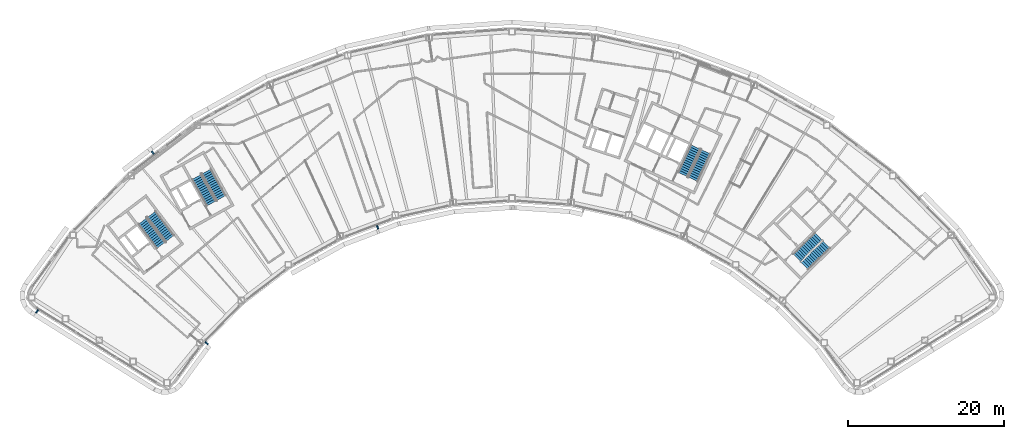
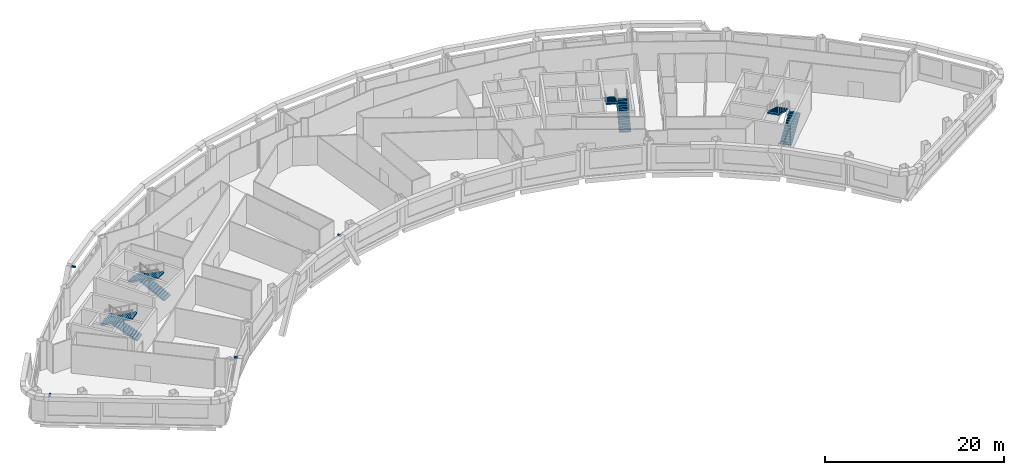
# One storey, part 12 of 16: 8 stair flights, 4 discrete accessories, 4 elements without a shape of their own.
"""IFC4 building model written with IfcOpenShell, lengths in metres."""

import ifcopenshell
import ifcopenshell.guid

model = None  # the IFC model being written
_history = None  # IfcOwnerHistory: only IFC2X3 demands one
_inside = {}  # id of a spatial element -> (the spatial element, [elements in it])
_under = {}  # id of a project, library or spatial element -> (it, [spatial elements below it])
_declared = {}  # id of a project -> (the project, [libraries it declares])
_typed = {}  # id of a type object -> (the type object, [elements of that type])
_made_of = {}  # id of a material, layer set ... -> (it, [elements and type objects made of it])


def new_model(schema):
    """Start an empty IFC model of exactly this schema.

    Asked for "IFC4X3", IfcOpenShell would pick the latest addendum, in which some entities
    have other attributes; the version numbers below select the first issue.
    IFC2X3 requires an IfcOwnerHistory on every rooted entity: one is made here for all.
    """
    global model, _history
    if schema == "IFC4X3":
        model = ifcopenshell.file(schema_version=(4, 3, 0, 0))
    else:
        model = ifcopenshell.file(schema=schema)
    _inside.clear()
    _under.clear()
    _declared.clear()
    _typed.clear()
    _made_of.clear()
    _history = None
    if model.schema == "IFC2X3":
        org = make("IfcOrganization", Name="unknown")
        user = make(
            "IfcPersonAndOrganization",
            ThePerson=make("IfcPerson", FamilyName="unknown"),
            TheOrganization=org,
        )
        app = make(
            "IfcApplication",
            ApplicationDeveloper=org,
            Version="unknown",
            ApplicationFullName="unknown",
            ApplicationIdentifier="unknown",
        )
        _history = make(
            "IfcOwnerHistory",
            OwningUser=user,
            OwningApplication=app,
            ChangeAction="ADDED",
            CreationDate=0,
        )
    return model


def make(cls, **values):
    """One entity of the class cls with the attributes given. An attribute that is None is left unset."""
    return model.create_entity(
        cls, **{name: value for name, value in values.items() if value is not None}
    )


def rooted(cls, **values):
    """An entity with a GlobalId (a new one), such as an element, a storey or a relation."""
    return make(cls, GlobalId=ifcopenshell.guid.new(), OwnerHistory=_history, **values)


def si_unit(unit_type, name, prefix=None):
    """IfcSIUnit, for example si_unit("LENGTHUNIT", "METRE", prefix="MILLI")."""
    return make("IfcSIUnit", UnitType=unit_type, Prefix=prefix, Name=name)


def assignment(units):
    """IfcUnitAssignment: the units of a project."""
    return None if units is None else make("IfcUnitAssignment", Units=units)


def point(xyz):
    """IfcCartesianPoint."""
    return None if xyz is None else make("IfcCartesianPoint", Coordinates=xyz)


def direction(xyz):
    """IfcDirection."""
    return None if xyz is None else make("IfcDirection", DirectionRatios=xyz)


def frame(location, z_axis=None, x_axis=None):
    """IfcAxis2Placement3D, a coordinate frame: its origin and axes. An axis left out is left unset."""
    return make(
        "IfcAxis2Placement3D",
        Location=point(location),
        Axis=direction(z_axis),
        RefDirection=direction(x_axis),
    )


def frame_2d(location, x_axis=None):
    """IfcAxis2Placement2D, a coordinate frame in the plane: its origin and x axis."""
    return make(
        "IfcAxis2Placement2D", Location=point(location), RefDirection=direction(x_axis)
    )


def origin():
    """The frame at (0, 0, 0) with its axes left unset."""
    return frame((0.0, 0.0, 0.0))


def origin_2d():
    """The frame at (0, 0) in the plane with its x axis left unset."""
    return frame_2d((0.0, 0.0))


def place(relative_to, where):
    """IfcLocalPlacement: puts the frame where relative to a parent placement (None: the world)."""
    return make(
        "IfcLocalPlacement", PlacementRelTo=relative_to, RelativePlacement=where
    )


def context(
    kind, dimensions, precision=None, world=None, true_north=None, identifier=None
):
    """IfcGeometricRepresentationContext, for example the 3D "Model" context."""
    return make(
        "IfcGeometricRepresentationContext",
        ContextIdentifier=identifier,
        ContextType=kind,
        CoordinateSpaceDimension=dimensions,
        Precision=precision,
        WorldCoordinateSystem=world,
        TrueNorth=true_north,
    )


def subcontext(parent, identifier, kind, view, scale=None):
    """IfcGeometricRepresentationSubContext, for example "Body" below "Model"."""
    return make(
        "IfcGeometricRepresentationSubContext",
        ContextIdentifier=identifier,
        ContextType=kind,
        ParentContext=parent,
        TargetScale=scale,
        TargetView=view,
    )


def project(units=None, contexts=None):
    """IfcProject with its units and contexts."""
    return rooted(
        "IfcProject",
        Name="project",
        RepresentationContexts=contexts,
        UnitsInContext=assignment(units),
    )


def spatial(cls, under=None, at=None, **own):
    """A site, building, storey or space (cls), placed at a placement, below another one or the project."""
    s = rooted(cls, ObjectPlacement=at, **own)
    if under is not None:
        _under.setdefault(under.id(), (under, []))[1].append(s)
    return s


def polyline(points):
    """IfcPolyline through the points."""
    return make("IfcPolyline", Points=[point(p) for p in points])


def profile(cls, at=None, kind="AREA", **sizes):
    """A parametric profile (cls). Its sizes go by their IFC names, for example OverallWidth=200.0."""
    return make(cls, ProfileType=kind, Position=at, **sizes)


def rectangle(**sizes):
    """IfcRectangleProfileDef."""
    return profile("IfcRectangleProfileDef", **sizes)


def outline(outer, holes=None, kind="AREA"):
    """IfcArbitraryClosedProfileDef: a profile drawn as a closed curve; with holes, ...WithVoids."""
    if holes is None:
        return make("IfcArbitraryClosedProfileDef", ProfileType=kind, OuterCurve=outer)
    return make(
        "IfcArbitraryProfileDefWithVoids",
        ProfileType=kind,
        OuterCurve=outer,
        InnerCurves=holes,
    )


def extrude(swept, where, along, depth):
    """IfcExtrudedAreaSolid: the profile swept, set in the frame where, extruded along a direction by depth."""
    return make(
        "IfcExtrudedAreaSolid",
        SweptArea=swept,
        Position=where,
        ExtrudedDirection=direction(along),
        Depth=depth,
    )


def shape(context_of_items, identifier, shape_type, items):
    """IfcShapeRepresentation: the items that make up one representation, for example the "Body"."""
    return make(
        "IfcShapeRepresentation",
        ContextOfItems=context_of_items,
        RepresentationIdentifier=identifier,
        RepresentationType=shape_type,
        Items=items,
    )


def material(Name=None, Category=None):
    """IfcMaterial."""
    return make("IfcMaterial", Name=Name, Category=Category)


def made_of(thing, what):
    """Note that an element or type object is made of a material, layer set ...; save() writes the relation."""
    if what is not None:
        _made_of.setdefault(what.id(), (what, []))[1].append(thing)
    return thing


def type_object(cls, material=None, **own):
    """A type object (cls), such as IfcWallType, which elements share."""
    return made_of(rooted(cls, **own), material)


def element(
    cls,
    number,
    at=None,
    inside=None,
    cuts=None,
    type_object=None,
    material=None,
    context=None,
    identifier="Body",
    shape_type=None,
    held_by="IfcProductDefinitionShape",
    body=None,
    shapes=None,
    **own,
):
    """One element of the class cls, such as IfcWall. Its Tag is "e" and its number.

    at: its placement. inside: the storey or other place that contains it. cuts: it is an
    opening in that element (IfcRelVoidsElement). A single representation is given by context,
    identifier, shape_type and body (its items); several are given by shapes. held_by: the class
    of the entity that holds the representations. save() writes the other relations.
    """
    e = rooted(cls, Tag="e%d" % number, ObjectPlacement=at, **own)
    if body is not None:
        shapes = [shape(context, identifier, shape_type, body)]
    if shapes is not None:
        e.Representation = make(held_by, Representations=shapes)
    if inside is not None:
        _inside.setdefault(inside.id(), (inside, []))[1].append(e)
    if cuts is not None:
        rooted(
            "IfcRelVoidsElement", RelatingBuildingElement=cuts, RelatedOpeningElement=e
        )
    if type_object is not None:
        _typed.setdefault(type_object.id(), (type_object, []))[1].append(e)
    return made_of(e, material)


def aggregate(whole, parts):
    """IfcRelAggregates: a whole, such as a stair, and the parts it consists of."""
    return rooted("IfcRelAggregates", RelatingObject=whole, RelatedObjects=parts)


def save(model, path):
    """Write the relations noted so far, then the file.

    IfcRelAggregates (storeys below a building ...), IfcRelContainedInSpatialStructure (elements
    in a storey), IfcRelDefinesByType, IfcRelAssociatesMaterial and IfcRelDeclares: one each for
    every whole, place, type object, material and project.
    """
    for whole, parts in _under.values():
        aggregate(whole, parts)
    for where, things in _inside.values():
        rooted(
            "IfcRelContainedInSpatialStructure",
            RelatedElements=things,
            RelatingStructure=where,
        )
    for kind, things in _typed.values():
        rooted("IfcRelDefinesByType", RelatedObjects=things, RelatingType=kind)
    for what, things in _made_of.values():
        rooted("IfcRelAssociatesMaterial", RelatedObjects=things, RelatingMaterial=what)
    for by, libraries in _declared.values():
        rooted("IfcRelDeclares", RelatingContext=by, RelatedDefinitions=libraries)
    model.write(path)


model = new_model("IFC4")

# Units and contexts
model_context = context("Model", 3, precision=1e-05, world=origin(), true_north=direction((0.0, 1.0)))
body_context = subcontext(model_context, "Body", "Model", "MODEL_VIEW")
ifc_project = project(units=[si_unit("LENGTHUNIT", "METRE"), si_unit("AREAUNIT", "SQUARE_METRE"), si_unit("VOLUMEUNIT", "CUBIC_METRE"), si_unit("PLANEANGLEUNIT", "RADIAN"), si_unit("MASSUNIT", "GRAM", prefix="KILO")], contexts=[model_context])

# Site, building, storey
site_placement = place(None, origin())
site = spatial("IfcSite", under=ifc_project, at=site_placement, CompositionType="ELEMENT")
building_placement = place(site_placement, origin())
building = spatial("IfcBuilding", under=site, at=building_placement, Name="Tuul Gate Civic Tower", CompositionType="ELEMENT")
storey_placement = place(building_placement, frame((0.0, 0.0, 261.0)))
storey = spatial("IfcBuildingStorey", under=building, at=storey_placement, Name="Level 59", CompositionType="ELEMENT", Elevation=261.0)

# Stair, stair flights
ifc_material_1 = material(Name="Concrete C40/50", Category="concrete")
stair_type = type_object("IfcStairType", Name="Exit stair", PredefinedType="HALF_TURN_STAIR", material=ifc_material_1)
stair_1_placement = place(storey_placement, origin())
stair_1 = element("IfcStair", 1, at=stair_1_placement, inside=storey, type_object=stair_type, Name="Level 59 ST-1", PredefinedType="HALF_TURN_STAIR")
ifc_material_2 = material(Name="Concrete C40/50", Category="concrete")
stair_flight_type = type_object("IfcStairFlightType", Name="Exit stair flight", PredefinedType="STRAIGHT", material=ifc_material_2)
stair_flight_1_placement = place(storey_placement, frame((-32.875244140625, -13.066650390625, 0.0), z_axis=(0.0, 0.0, 1.0), x_axis=(-0.605764474941, 0.795644016442, 0.0)))
stair_flight_1 = element("IfcStairFlight", 2, at=stair_flight_1_placement, type_object=stair_flight_type, Name="ST-1 flight 1", NumberOfRisers=14, NumberOfTreads=13, PredefinedType="STRAIGHT", RiserHeight=0.15, TreadLength=0.3, context=body_context, shape_type="SweptSolid", body=[
    extrude(outline(polyline([(0.0, 0.0), (0.0, 0.14990234375), (0.300048828125, 0.14990234375), (0.300048828125, 0.300048828125), (0.60009765625, 0.300048828125), (0.60009765625, 0.449951171875), (0.89990234375, 0.449951171875), (0.89990234375, 0.60009765625), (1.199951171875, 0.60009765625), (1.199951171875, 0.75), (1.5, 0.75), (1.5, 0.89990234375), (1.800048828125, 0.89990234375), (1.800048828125, 1.050048828125), (2.10009765625, 1.050048828125), (2.10009765625, 1.199951171875), (2.39990234375, 1.199951171875), (2.39990234375, 1.35009765625), (2.699951171875, 1.35009765625), (2.699951171875, 1.5), (3.0, 1.5), (3.0, 1.64990234375), (3.300048828125, 1.64990234375), (3.300048828125, 1.800048828125), (3.60009765625, 1.800048828125), (3.60009765625, 1.949951171875), (3.89990234375, 1.949951171875), (3.89990234375, 2.10009765625), (3.89990234375, 1.782470703125), (0.335205078125, 0.0), (0.0, 0.0)])), frame((0.0, 0.675048828125, 0.0), z_axis=(0.0, -1.0, 0.0), x_axis=(1.0, 0.0, 0.0)), (0.0, 0.0, 1.0), 1.35009765625),
])
stair_flight_2_placement = place(storey_placement, frame((-36.391357421875, -10.842041015625, 2.10009765625), z_axis=(0.0, 0.0, 1.0), x_axis=(0.605764474941, -0.795644016442, 0.0)))
stair_flight_2 = element("IfcStairFlight", 3, at=stair_flight_2_placement, type_object=stair_flight_type, Name="ST-1 flight 2", NumberOfRisers=14, NumberOfTreads=13, PredefinedType="STRAIGHT", RiserHeight=0.15, TreadLength=0.3, context=body_context, shape_type="SweptSolid", body=[
    extrude(outline(polyline([(0.0, 0.0), (0.0, 0.14990234375), (0.300048828125, 0.14990234375), (0.300048828125, 0.300048828125), (0.60009765625, 0.300048828125), (0.60009765625, 0.449951171875), (0.89990234375, 0.449951171875), (0.89990234375, 0.60009765625), (1.199951171875, 0.60009765625), (1.199951171875, 0.75), (1.5, 0.75), (1.5, 0.89990234375), (1.800048828125, 0.89990234375), (1.800048828125, 1.050048828125), (2.10009765625, 1.050048828125), (2.10009765625, 1.199951171875), (2.39990234375, 1.199951171875), (2.39990234375, 1.35009765625), (2.699951171875, 1.35009765625), (2.699951171875, 1.5), (3.0, 1.5), (3.0, 1.64990234375), (3.300048828125, 1.64990234375), (3.300048828125, 1.800048828125), (3.60009765625, 1.800048828125), (3.60009765625, 1.949951171875), (3.89990234375, 1.949951171875), (3.89990234375, 2.10009765625), (3.89990234375, 1.782470703125), (0.335205078125, 0.0), (0.0, 0.0)])), frame((0.0, 0.675048828125, 0.0), z_axis=(0.0, -1.0, 0.0), x_axis=(1.0, 0.0, 0.0)), (0.0, 0.0, 1.0), 1.35009765625),
])
aggregate(stair_1, [stair_flight_1, stair_flight_2])

stair_2_placement = place(storey_placement, origin())
stair_2 = element("IfcStair", 4, at=stair_2_placement, inside=storey, type_object=stair_type, Name="Level 59 ST-2", PredefinedType="HALF_TURN_STAIR")
stair_flight_3_placement = place(storey_placement, frame((-26.29150390625, -7.87646484375, 0.0), z_axis=(0.0, 0.0, 1.0), x_axis=(-0.484761763766, 0.874646232708, 0.0)))
stair_flight_3 = element("IfcStairFlight", 5, at=stair_flight_3_placement, type_object=stair_flight_type, Name="ST-2 flight 1", NumberOfRisers=14, NumberOfTreads=13, PredefinedType="STRAIGHT", RiserHeight=0.15, TreadLength=0.3, context=body_context, shape_type="SweptSolid", body=[
    extrude(outline(polyline([(0.0, 0.0), (0.0, 0.14990234375), (0.300048828125, 0.14990234375), (0.300048828125, 0.300048828125), (0.60009765625, 0.300048828125), (0.60009765625, 0.449951171875), (0.89990234375, 0.449951171875), (0.89990234375, 0.60009765625), (1.199951171875, 0.60009765625), (1.199951171875, 0.75), (1.5, 0.75), (1.5, 0.89990234375), (1.800048828125, 0.89990234375), (1.800048828125, 1.050048828125), (2.10009765625, 1.050048828125), (2.10009765625, 1.199951171875), (2.39990234375, 1.199951171875), (2.39990234375, 1.35009765625), (2.699951171875, 1.35009765625), (2.699951171875, 1.5), (3.0, 1.5), (3.0, 1.64990234375), (3.300048828125, 1.64990234375), (3.300048828125, 1.800048828125), (3.60009765625, 1.800048828125), (3.60009765625, 1.949951171875), (3.89990234375, 1.949951171875), (3.89990234375, 2.10009765625), (3.89990234375, 1.782470703125), (0.335205078125, 0.0), (0.0, 0.0)])), frame((0.0, 0.675048828125, 0.0), z_axis=(0.0, -1.0, 0.0), x_axis=(1.0, 0.0, 0.0)), (0.0, 0.0, 1.0), 1.35009765625),
])
stair_flight_4_placement = place(storey_placement, frame((-29.450439453125, -5.168212890625, 2.10009765625), z_axis=(0.0, 0.0, 1.0), x_axis=(0.484761763766, -0.874646232708, 0.0)))
stair_flight_4 = element("IfcStairFlight", 6, at=stair_flight_4_placement, type_object=stair_flight_type, Name="ST-2 flight 2", NumberOfRisers=14, NumberOfTreads=13, PredefinedType="STRAIGHT", RiserHeight=0.15, TreadLength=0.3, context=body_context, shape_type="SweptSolid", body=[
    extrude(outline(polyline([(0.0, 0.0), (0.0, 0.14990234375), (0.300048828125, 0.14990234375), (0.300048828125, 0.300048828125), (0.60009765625, 0.300048828125), (0.60009765625, 0.449951171875), (0.89990234375, 0.449951171875), (0.89990234375, 0.60009765625), (1.199951171875, 0.60009765625), (1.199951171875, 0.75), (1.5, 0.75), (1.5, 0.89990234375), (1.800048828125, 0.89990234375), (1.800048828125, 1.050048828125), (2.10009765625, 1.050048828125), (2.10009765625, 1.199951171875), (2.39990234375, 1.199951171875), (2.39990234375, 1.35009765625), (2.699951171875, 1.35009765625), (2.699951171875, 1.5), (3.0, 1.5), (3.0, 1.64990234375), (3.300048828125, 1.64990234375), (3.300048828125, 1.800048828125), (3.60009765625, 1.800048828125), (3.60009765625, 1.949951171875), (3.89990234375, 1.949951171875), (3.89990234375, 2.10009765625), (3.89990234375, 1.782470703125), (0.335205078125, 0.0), (0.0, 0.0)])), frame((0.0, 0.675048828125, 0.0), z_axis=(0.0, -1.0, 0.0), x_axis=(1.0, 0.0, 0.0)), (0.0, 0.0, 1.0), 1.35009765625),
])
aggregate(stair_2, [stair_flight_3, stair_flight_4])

stair_3_placement = place(storey_placement, origin())
stair_3 = element("IfcStair", 7, at=stair_3_placement, inside=storey, type_object=stair_type, Name="Level 59 ST-3", PredefinedType="HALF_TURN_STAIR")
stair_flight_5_placement = place(storey_placement, frame((48.61376953125, -16.581787109375, 0.0), z_axis=(0.0, 0.0, 1.0), x_axis=(0.714127290059, 0.700015866672, 0.0)))
stair_flight_5 = element("IfcStairFlight", 8, at=stair_flight_5_placement, type_object=stair_flight_type, Name="ST-3 flight 1", NumberOfRisers=14, NumberOfTreads=13, PredefinedType="STRAIGHT", RiserHeight=0.15, TreadLength=0.3, context=body_context, shape_type="SweptSolid", body=[
    extrude(outline(polyline([(0.0, 0.0), (0.0, 0.14990234375), (0.300048828125, 0.14990234375), (0.300048828125, 0.300048828125), (0.60009765625, 0.300048828125), (0.60009765625, 0.449951171875), (0.89990234375, 0.449951171875), (0.89990234375, 0.60009765625), (1.199951171875, 0.60009765625), (1.199951171875, 0.75), (1.5, 0.75), (1.5, 0.89990234375), (1.800048828125, 0.89990234375), (1.800048828125, 1.050048828125), (2.10009765625, 1.050048828125), (2.10009765625, 1.199951171875), (2.39990234375, 1.199951171875), (2.39990234375, 1.35009765625), (2.699951171875, 1.35009765625), (2.699951171875, 1.5), (3.0, 1.5), (3.0, 1.64990234375), (3.300048828125, 1.64990234375), (3.300048828125, 1.800048828125), (3.60009765625, 1.800048828125), (3.60009765625, 1.949951171875), (3.89990234375, 1.949951171875), (3.89990234375, 2.10009765625), (3.89990234375, 1.782470703125), (0.335205078125, 0.0), (0.0, 0.0)])), frame((0.0, 0.675048828125, 0.0), z_axis=(0.0, -1.0, 0.0), x_axis=(1.0, 0.0, 0.0)), (0.0, 0.0, 1.0), 1.35009765625),
])
stair_flight_6_placement = place(storey_placement, frame((50.3837890625, -12.816162109375, 2.10009765625), z_axis=(0.0, 0.0, 1.0), x_axis=(-0.714127290059, -0.700015866672, 0.0)))
stair_flight_6 = element("IfcStairFlight", 9, at=stair_flight_6_placement, type_object=stair_flight_type, Name="ST-3 flight 2", NumberOfRisers=14, NumberOfTreads=13, PredefinedType="STRAIGHT", RiserHeight=0.15, TreadLength=0.3, context=body_context, shape_type="SweptSolid", body=[
    extrude(outline(polyline([(0.0, 0.0), (0.0, 0.14990234375), (0.300048828125, 0.14990234375), (0.300048828125, 0.300048828125), (0.60009765625, 0.300048828125), (0.60009765625, 0.449951171875), (0.89990234375, 0.449951171875), (0.89990234375, 0.60009765625), (1.199951171875, 0.60009765625), (1.199951171875, 0.75), (1.5, 0.75), (1.5, 0.89990234375), (1.800048828125, 0.89990234375), (1.800048828125, 1.050048828125), (2.10009765625, 1.050048828125), (2.10009765625, 1.199951171875), (2.39990234375, 1.199951171875), (2.39990234375, 1.35009765625), (2.699951171875, 1.35009765625), (2.699951171875, 1.5), (3.0, 1.5), (3.0, 1.64990234375), (3.300048828125, 1.64990234375), (3.300048828125, 1.800048828125), (3.60009765625, 1.800048828125), (3.60009765625, 1.949951171875), (3.89990234375, 1.949951171875), (3.89990234375, 2.10009765625), (3.89990234375, 1.782470703125), (0.335205078125, 0.0), (0.0, 0.0)])), frame((0.0, 0.675048828125, 0.0), z_axis=(0.0, -1.0, 0.0), x_axis=(1.0, 0.0, 0.0)), (0.0, 0.0, 1.0), 1.35009765625),
])
aggregate(stair_3, [stair_flight_5, stair_flight_6])

stair_4_placement = place(storey_placement, origin())
stair_4 = element("IfcStair", 10, at=stair_4_placement, inside=storey, type_object=stair_type, Name="Level 59 ST-4", PredefinedType="HALF_TURN_STAIR")
stair_flight_7_placement = place(storey_placement, frame((34.278564453125, -5.478515625, 0.0), z_axis=(0.0, 0.0, 1.0), x_axis=(0.422576295988, 0.906327354806, 0.0)))
stair_flight_7 = element("IfcStairFlight", 11, at=stair_flight_7_placement, type_object=stair_flight_type, Name="ST-4 flight 1", NumberOfRisers=14, NumberOfTreads=13, PredefinedType="STRAIGHT", RiserHeight=0.15, TreadLength=0.3, context=body_context, shape_type="SweptSolid", body=[
    extrude(outline(polyline([(0.0, 0.0), (0.0, 0.14990234375), (0.300048828125, 0.14990234375), (0.300048828125, 0.300048828125), (0.60009765625, 0.300048828125), (0.60009765625, 0.449951171875), (0.89990234375, 0.449951171875), (0.89990234375, 0.60009765625), (1.199951171875, 0.60009765625), (1.199951171875, 0.75), (1.5, 0.75), (1.5, 0.89990234375), (1.800048828125, 0.89990234375), (1.800048828125, 1.050048828125), (2.10009765625, 1.050048828125), (2.10009765625, 1.199951171875), (2.39990234375, 1.199951171875), (2.39990234375, 1.35009765625), (2.699951171875, 1.35009765625), (2.699951171875, 1.5), (3.0, 1.5), (3.0, 1.64990234375), (3.300048828125, 1.64990234375), (3.300048828125, 1.800048828125), (3.60009765625, 1.800048828125), (3.60009765625, 1.949951171875), (3.89990234375, 1.949951171875), (3.89990234375, 2.10009765625), (3.89990234375, 1.782470703125), (0.335205078125, 0.0), (0.0, 0.0)])), frame((0.0, 0.675048828125, 0.0), z_axis=(0.0, -1.0, 0.0), x_axis=(1.0, 0.0, 0.0)), (0.0, 0.0, 1.0), 1.35009765625),
])
stair_flight_8_placement = place(storey_placement, frame((34.612548828125, -1.3310546875, 2.10009765625), z_axis=(0.0, 0.0, 1.0), x_axis=(-0.422576295988, -0.906327354806, 0.0)))
stair_flight_8 = element("IfcStairFlight", 12, at=stair_flight_8_placement, type_object=stair_flight_type, Name="ST-4 flight 2", NumberOfRisers=14, NumberOfTreads=13, PredefinedType="STRAIGHT", RiserHeight=0.15, TreadLength=0.3, context=body_context, shape_type="SweptSolid", body=[
    extrude(outline(polyline([(0.0, 0.0), (0.0, 0.14990234375), (0.300048828125, 0.14990234375), (0.300048828125, 0.300048828125), (0.60009765625, 0.300048828125), (0.60009765625, 0.449951171875), (0.89990234375, 0.449951171875), (0.89990234375, 0.60009765625), (1.199951171875, 0.60009765625), (1.199951171875, 0.75), (1.5, 0.75), (1.5, 0.89990234375), (1.800048828125, 0.89990234375), (1.800048828125, 1.050048828125), (2.10009765625, 1.050048828125), (2.10009765625, 1.199951171875), (2.39990234375, 1.199951171875), (2.39990234375, 1.35009765625), (2.699951171875, 1.35009765625), (2.699951171875, 1.5), (3.0, 1.5), (3.0, 1.64990234375), (3.300048828125, 1.64990234375), (3.300048828125, 1.800048828125), (3.60009765625, 1.800048828125), (3.60009765625, 1.949951171875), (3.89990234375, 1.949951171875), (3.89990234375, 2.10009765625), (3.89990234375, 1.782470703125), (0.335205078125, 0.0), (0.0, 0.0)])), frame((0.0, 0.675048828125, 0.0), z_axis=(0.0, -1.0, 0.0), x_axis=(1.0, 0.0, 0.0)), (0.0, 0.0, 1.0), 1.35009765625),
])
aggregate(stair_4, [stair_flight_7, stair_flight_8])

# Discrete accessories
ifc_material_3 = material(Name="Stainless steel", Category="steel")
discrete_accessory_type = type_object("IfcDiscreteAccessoryType", Name="Screen bracket", PredefinedType="BRACKET", material=ifc_material_3)
discrete_accessory_1_placement = place(storey_placement, frame((-35.0849609375, -2.05029296875, 3.75), z_axis=(0.0, 0.0, 1.0), x_axis=(-0.619887231663, 0.784690907314, 0.0)))
element("IfcDiscreteAccessory", 13, at=discrete_accessory_1_placement, inside=storey, type_object=discrete_accessory_type, Name="Screen bracket 15", PredefinedType="BRACKET", context=body_context, shape_type="SweptSolid", body=[
    extrude(rectangle(XDim=0.4501953125, YDim=0.199951171875, at=origin_2d()), origin(), (0.0, 0.0, 1.0), 0.199951171875),
])
discrete_accessory_2_placement = place(storey_placement, frame((-49.930908203125, -22.419189453125, 3.75), z_axis=(0.0, 0.0, 1.0), x_axis=(-0.609252867418, -0.792976004393, 0.0)))
element("IfcDiscreteAccessory", 14, at=discrete_accessory_2_placement, inside=storey, type_object=discrete_accessory_type, Name="Screen bracket 18", PredefinedType="BRACKET", context=body_context, shape_type="SweptSolid", body=[
    extrude(rectangle(XDim=0.4521484375, YDim=0.199951171875, at=origin_2d()), origin(), (0.0, 0.0, 1.0), 0.199951171875),
])
discrete_accessory_3_placement = place(storey_placement, frame((-28.172607421875, -26.519287109375, 3.75), z_axis=(0.0, 0.0, 1.0), x_axis=(0.756391443454, -0.654119243158, 0.0)))
element("IfcDiscreteAccessory", 15, at=discrete_accessory_3_placement, inside=storey, type_object=discrete_accessory_type, Name="Screen bracket 21", PredefinedType="BRACKET", context=body_context, shape_type="SweptSolid", body=[
    extrude(rectangle(XDim=0.450927734375, YDim=0.199951171875, at=origin_2d()), origin(), (0.0, 0.0, 1.0), 0.199951171875),
])
discrete_accessory_4_placement = place(storey_placement, frame((-6.223388671875, -11.643310546875, 3.75), z_axis=(0.0, 0.0, 1.0), x_axis=(0.333479440373, -0.942757372206, 0.0)))
element("IfcDiscreteAccessory", 16, at=discrete_accessory_4_placement, inside=storey, type_object=discrete_accessory_type, Name="Screen bracket 24", PredefinedType="BRACKET", context=body_context, shape_type="SweptSolid", body=[
    extrude(rectangle(XDim=0.4501953125, YDim=0.199951171875, at=origin_2d()), origin(), (0.0, 0.0, 1.0), 0.199951171875),
])

save(model, "model.ifc")
